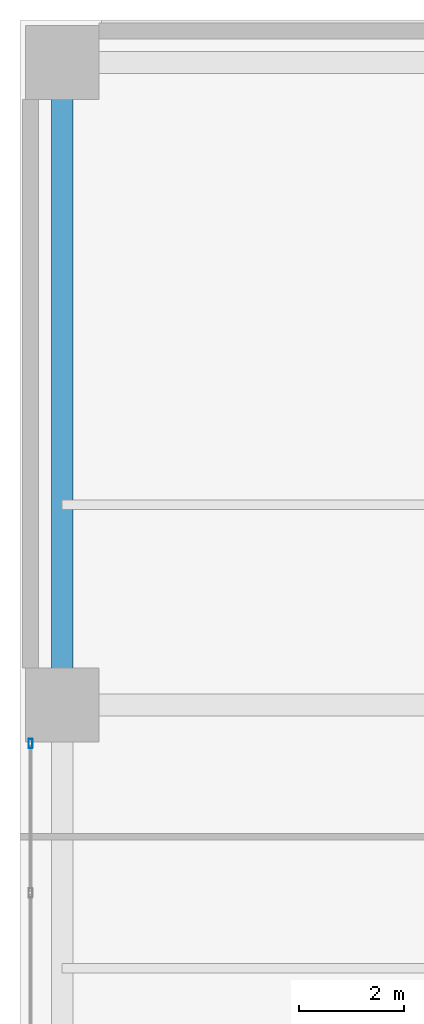
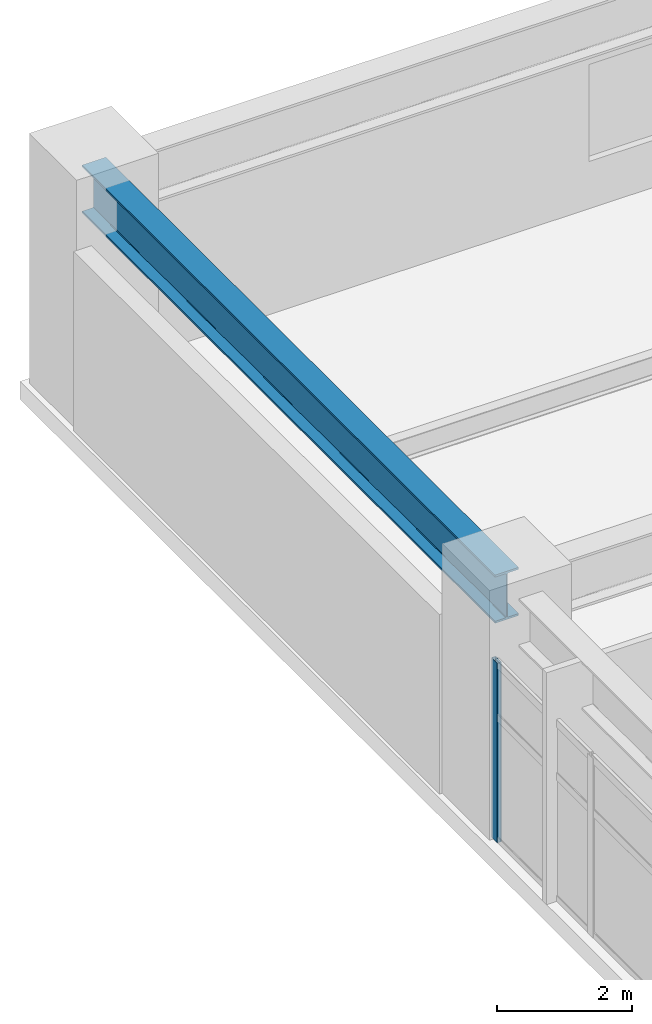
# One storey, part 11 of 28: 1 beam, 1 member, 1 element without a shape of its own.
"""IFC4 building model written with IfcOpenShell, lengths in metres."""

from ifc_helpers import new_model, si_unit, direction, frame, origin, origin_2d, place, context, subcontext, project, spatial, hollow_rectangle, i_section, extrude, material, layer, layer_set, material_profile, profile_set, type_object, element, aggregate, save


model = new_model("IFC4")

# Units and contexts
model_context = context("Model", 3, precision=1e-05, world=origin(), true_north=direction((0.0, 1.0)))
body_context = subcontext(model_context, "Body", "Model", "MODEL_VIEW")
ifc_project = project(units=[si_unit("LENGTHUNIT", "METRE"), si_unit("AREAUNIT", "SQUARE_METRE"), si_unit("VOLUMEUNIT", "CUBIC_METRE"), si_unit("PLANEANGLEUNIT", "RADIAN"), si_unit("MASSUNIT", "GRAM", prefix="KILO")], contexts=[model_context])

# Site, building, storey
site_placement = place(None, origin())
site = spatial("IfcSite", under=ifc_project, at=site_placement, CompositionType="ELEMENT")
building_placement = place(site_placement, origin())
building = spatial("IfcBuilding", under=site, at=building_placement, Name="Soratama Intermodal Tower", CompositionType="ELEMENT")
storey_placement = place(building_placement, frame((0.0, 0.0, 20.699951171875)))
storey = spatial("IfcBuildingStorey", under=building, at=storey_placement, Name="L04", CompositionType="ELEMENT", Elevation=20.699951171875)

# Beam
ifc_material_1 = material(Name="Structural steel ASTM A992 Grade 50", Category="steel")
ifc_material_profile_1 = material_profile(ifc_material_1, i_section(OverallWidth=0.403076171875, OverallDepth=0.867919921875, WebThickness=0.02099609375, FlangeThickness=0.03564453125, FilletRadius=0.01806640625, at=origin_2d()), Name="W33X241")
ifc_profile_set_1 = profile_set([ifc_material_profile_1], Name="Structural steel ASTM A992 Grade 50")
beam_type = type_object("IfcBeamType", Name="BM-POD-EXT-W33", PredefinedType="BEAM", material=ifc_profile_set_1)
beam_placement = place(storey_placement, frame((0.800048828125, 35.0, 3.74609375), z_axis=(0.0, 1.0, 0.0), x_axis=(-1.0, 0.0, 0.0)))
element("IfcBeam", 1, at=beam_placement, inside=storey, type_object=beam_type, Name="L04 Station Girder Y1-4", PredefinedType="BEAM", context=body_context, shape_type="SweptSolid", body=[
    extrude(i_section(OverallWidth=0.403076171875, OverallDepth=0.867919921875, WebThickness=0.02099609375, FlangeThickness=0.03564453125, FilletRadius=0.01806640625, at=origin_2d()), origin(), (0.0, 0.0, 1.0), 12.199951171875),
])

# Curtain wall, member
ifc_material_2 = material(Name="Double-glazed aluminium curtain wall", Category="aluminium")
ifc_layer = layer(ifc_material_2, 0.159912109375)
ifc_layer_set = layer_set([ifc_layer], Name="Double-glazed aluminium curtain wall")
curtain_wall_type = type_object("IfcCurtainWallType", Name="CW-SYS-1", PredefinedType="NOTDEFINED", material=ifc_layer_set)
curtain_wall_placement = place(storey_placement, origin())
curtain_wall = element("IfcCurtainWall", 2, at=curtain_wall_placement, inside=storey, type_object=curtain_wall_type, Name="L04 Station Curtain Wall W2", PredefinedType="NOTDEFINED")
ifc_material_3 = material(Name="Anodised aluminium AA 6063-T6", Category="aluminium")
ifc_material_profile_2 = material_profile(ifc_material_3, hollow_rectangle(XDim=0.074951171875, YDim=0.179931640625, WallThickness=0.006103515625, InnerFilletRadius=0.006103515625, OuterFilletRadius=0.011962890625, at=origin_2d()), Name="CWM180X75X6")
ifc_profile_set_2 = profile_set([ifc_material_profile_2], Name="Anodised aluminium AA 6063-T6")
member_type = type_object("IfcMemberType", Name="MT-CWM-1", PredefinedType="MULLION", material=ifc_profile_set_2)
member_placement = place(storey_placement, frame((0.199951171875, 34.27001953125, 0.0), z_axis=(0.0, 0.0, 1.0), x_axis=(-1.0, 0.0, 0.0)))
member = element("IfcMember", 3, at=member_placement, type_object=member_type, Name="CW-1 mullion 4", PredefinedType="MULLION", context=body_context, shape_type="SweptSolid", body=[
    extrude(hollow_rectangle(XDim=0.074951171875, YDim=0.179931640625, WallThickness=0.006103515625, InnerFilletRadius=0.006103515625, OuterFilletRadius=0.011962890625, at=origin_2d()), origin(), (0.0, 0.0, 1.0), 3.236083984375),
])
aggregate(curtain_wall, [member])

save(model, "model.ifc")
